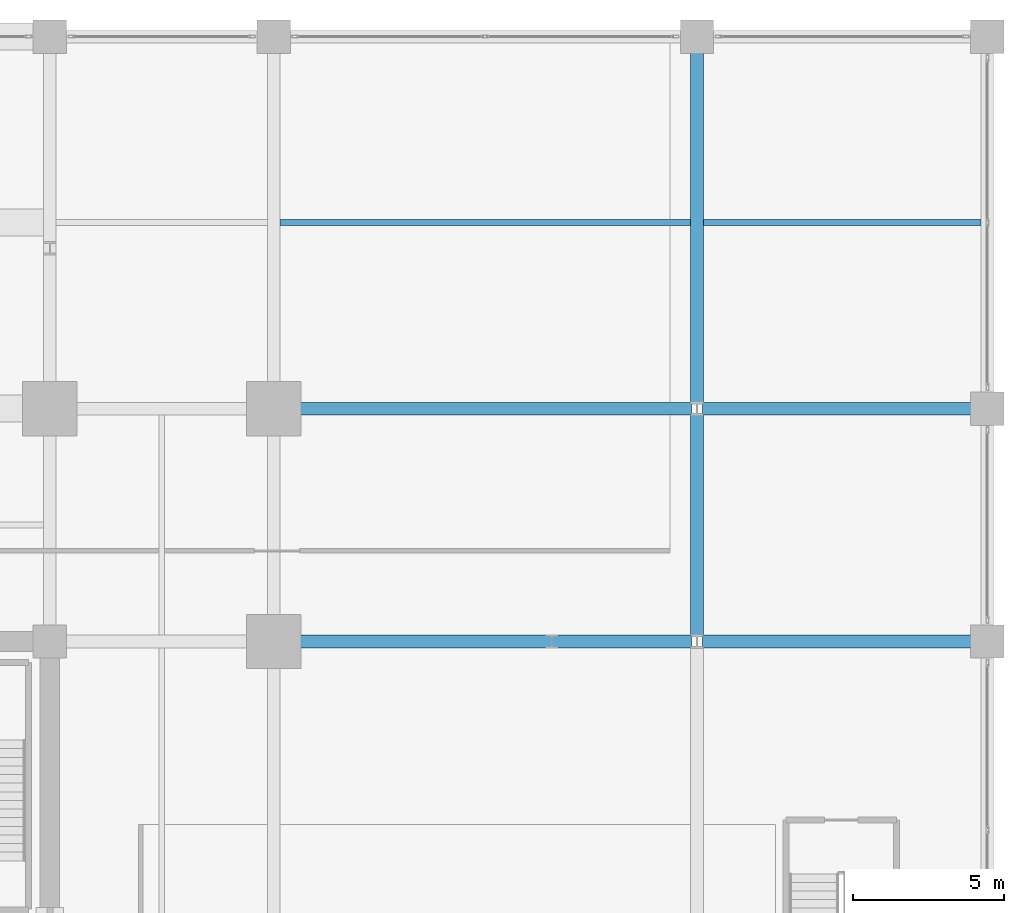
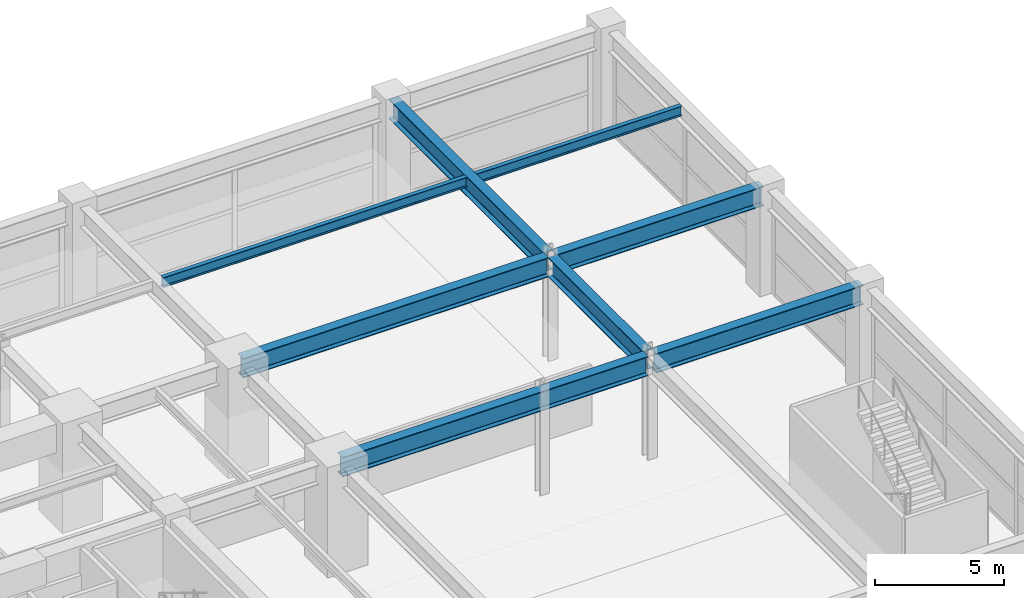
# One storey, part 29 of 43: 8 beams.
"""IFC4 building model written with IfcOpenShell, lengths in metres."""

from ifc_helpers import new_model, si_unit, direction, frame, origin, origin_2d, place, context, subcontext, project, spatial, i_section, extrude, material, material_profile, profile_set, type_object, element, save


model = new_model("IFC4")

# Units and contexts
model_context = context("Model", 3, precision=1e-05, world=origin(), true_north=direction((0.0, 1.0)))
body_context = subcontext(model_context, "Body", "Model", "MODEL_VIEW")
ifc_project = project(units=[si_unit("LENGTHUNIT", "METRE"), si_unit("AREAUNIT", "SQUARE_METRE"), si_unit("VOLUMEUNIT", "CUBIC_METRE"), si_unit("PLANEANGLEUNIT", "RADIAN"), si_unit("MASSUNIT", "GRAM", prefix="KILO")], contexts=[model_context])

# Site, building, storey
site_placement = place(None, origin())
site = spatial("IfcSite", under=ifc_project, at=site_placement, CompositionType="ELEMENT")
building_placement = place(site_placement, origin())
building = spatial("IfcBuilding", under=site, at=building_placement, Name="Kovane Verandah Tower", CompositionType="ELEMENT")
storey_placement = place(building_placement, frame((0.0, 0.0, 11.199951171875)))
storey = spatial("IfcBuildingStorey", under=building, at=storey_placement, Name="L02", CompositionType="ELEMENT", Elevation=11.199951171875)

# Beams
ifc_material_1 = material(Name="Steel S460", Category="steel")
ifc_material_profile_1 = material_profile(ifc_material_1, i_section(OverallWidth=0.42041015625, OverallDepth=0.9208984375, WebThickness=0.021484375, FlangeThickness=0.03662109375, FilletRadius=0.024169921875, at=origin_2d()), Name="UB914x419x388")
ifc_profile_set_1 = profile_set([ifc_material_profile_1], Name="Steel S460")
beam_type_1 = type_object("IfcBeamType", Name="BM-UB914x388", PredefinedType="BEAM", material=ifc_profile_set_1)
beam_1_placement = place(storey_placement, frame((58.580078125, 36.5, 4.439453125), z_axis=(1.0, 0.0, 0.0), x_axis=(0.0, 1.0, 0.0)))
element("IfcBeam", 1, at=beam_1_placement, inside=storey, type_object=beam_type_1, Name="L02 Podium Grid Girder X11", PredefinedType="BEAM", context=body_context, shape_type="SweptSolid", body=[
    extrude(i_section(OverallWidth=0.42041015625, OverallDepth=0.9208984375, WebThickness=0.021484375, FlangeThickness=0.03662109375, FilletRadius=0.024169921875, at=origin_2d()), origin(), (0.0, 0.0, 1.0), 13.639892578125),
])
beam_2_placement = place(storey_placement, frame((72.580078125, 36.5, 4.439453125), z_axis=(1.0, 0.0, 0.0), x_axis=(0.0, 1.0, 0.0)))
element("IfcBeam", 2, at=beam_2_placement, inside=storey, type_object=beam_type_1, Name="L02 Podium Grid Girder X12", PredefinedType="BEAM", context=body_context, shape_type="SweptSolid", body=[
    extrude(i_section(OverallWidth=0.42041015625, OverallDepth=0.9208984375, WebThickness=0.021484375, FlangeThickness=0.03662109375, FilletRadius=0.024169921875, at=origin_2d()), origin(), (0.0, 0.0, 1.0), 9.239990234375),
])
beam_3_placement = place(storey_placement, frame((58.580078125, 44.199951171875, 4.439453125), z_axis=(1.0, 0.0, 0.0), x_axis=(0.0, 1.0, 0.0)))
element("IfcBeam", 3, at=beam_3_placement, inside=storey, type_object=beam_type_1, Name="L02 Podium Grid Girder X15", PredefinedType="BEAM", context=body_context, shape_type="SweptSolid", body=[
    extrude(i_section(OverallWidth=0.42041015625, OverallDepth=0.9208984375, WebThickness=0.021484375, FlangeThickness=0.03662109375, FilletRadius=0.024169921875, at=origin_2d()), origin(), (0.0, 0.0, 1.0), 13.639892578125),
])
beam_4_placement = place(storey_placement, frame((72.580078125, 44.199951171875, 4.439453125), z_axis=(1.0, 0.0, 0.0), x_axis=(0.0, 1.0, 0.0)))
element("IfcBeam", 4, at=beam_4_placement, inside=storey, type_object=beam_type_1, Name="L02 Podium Grid Girder X16", PredefinedType="BEAM", context=body_context, shape_type="SweptSolid", body=[
    extrude(i_section(OverallWidth=0.42041015625, OverallDepth=0.9208984375, WebThickness=0.021484375, FlangeThickness=0.03662109375, FilletRadius=0.024169921875, at=origin_2d()), origin(), (0.0, 0.0, 1.0), 9.239990234375),
])
beam_5_placement = place(storey_placement, frame((72.39990234375, 36.679931640625, 4.439453125), z_axis=(0.0, 1.0, 0.0), x_axis=(-1.0, 0.0, 0.0)))
element("IfcBeam", 5, at=beam_5_placement, inside=storey, type_object=beam_type_1, Name="L02 Podium Grid Girder Y38", PredefinedType="BEAM", context=body_context, shape_type="SweptSolid", body=[
    extrude(i_section(OverallWidth=0.42041015625, OverallDepth=0.9208984375, WebThickness=0.021484375, FlangeThickness=0.03662109375, FilletRadius=0.024169921875, at=origin_2d()), origin(), (0.0, 0.0, 1.0), 7.340087890625),
])
beam_6_placement = place(storey_placement, frame((72.39990234375, 44.3798828125, 4.439453125), z_axis=(0.0, 1.0, 0.0), x_axis=(-1.0, 0.0, 0.0)))
element("IfcBeam", 6, at=beam_6_placement, inside=storey, type_object=beam_type_1, Name="L02 Podium Grid Girder Y39", PredefinedType="BEAM", context=body_context, shape_type="SweptSolid", body=[
    extrude(i_section(OverallWidth=0.42041015625, OverallDepth=0.9208984375, WebThickness=0.021484375, FlangeThickness=0.03662109375, FilletRadius=0.024169921875, at=origin_2d()), origin(), (0.0, 0.0, 1.0), 11.940185546875),
])
ifc_material_2 = material(Name="Steel S355", Category="steel")
ifc_material_profile_2 = material_profile(ifc_material_2, i_section(OverallWidth=0.19287109375, OverallDepth=0.46728515625, WebThickness=0.011474609375, FlangeThickness=0.01953125, FilletRadius=0.01025390625, at=origin_2d()), Name="UB457x191x98")
ifc_profile_set_2 = profile_set([ifc_material_profile_2], Name="Steel S355")
beam_type_2 = type_object("IfcBeamType", Name="JST-UB457x98", PredefinedType="JOIST", material=ifc_profile_set_2)
beam_7_placement = place(storey_placement, frame((58.608154296875, 50.35009765625, 4.66650390625), z_axis=(1.0, 0.0, 0.0), x_axis=(0.0, 1.0, 0.0)))
element("IfcBeam", 7, at=beam_7_placement, inside=storey, type_object=beam_type_2, Name="L02 Podium Secondary Joist 06", PredefinedType="JOIST", context=body_context, shape_type="SweptSolid", body=[
    extrude(i_section(OverallWidth=0.19287109375, OverallDepth=0.46728515625, WebThickness=0.011474609375, FlangeThickness=0.01953125, FilletRadius=0.01025390625, at=origin_2d()), origin(), (0.0, 0.0, 1.0), 13.583740234375),
])
beam_8_placement = place(storey_placement, frame((72.608154296875, 50.35009765625, 4.66650390625), z_axis=(1.0, 0.0, 0.0), x_axis=(0.0, 1.0, 0.0)))
element("IfcBeam", 8, at=beam_8_placement, inside=storey, type_object=beam_type_2, Name="L02 Podium Secondary Joist 07", PredefinedType="JOIST", context=body_context, shape_type="SweptSolid", body=[
    extrude(i_section(OverallWidth=0.19287109375, OverallDepth=0.46728515625, WebThickness=0.011474609375, FlangeThickness=0.01953125, FilletRadius=0.01025390625, at=origin_2d()), origin(), (0.0, 0.0, 1.0), 9.18359375),
])

save(model, "model.ifc")
